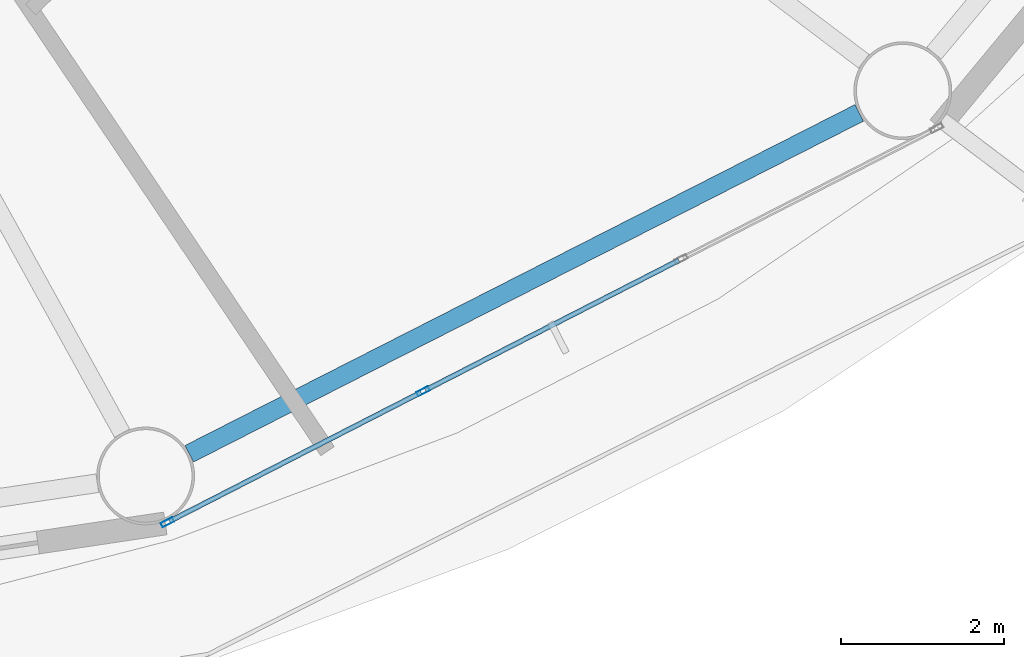
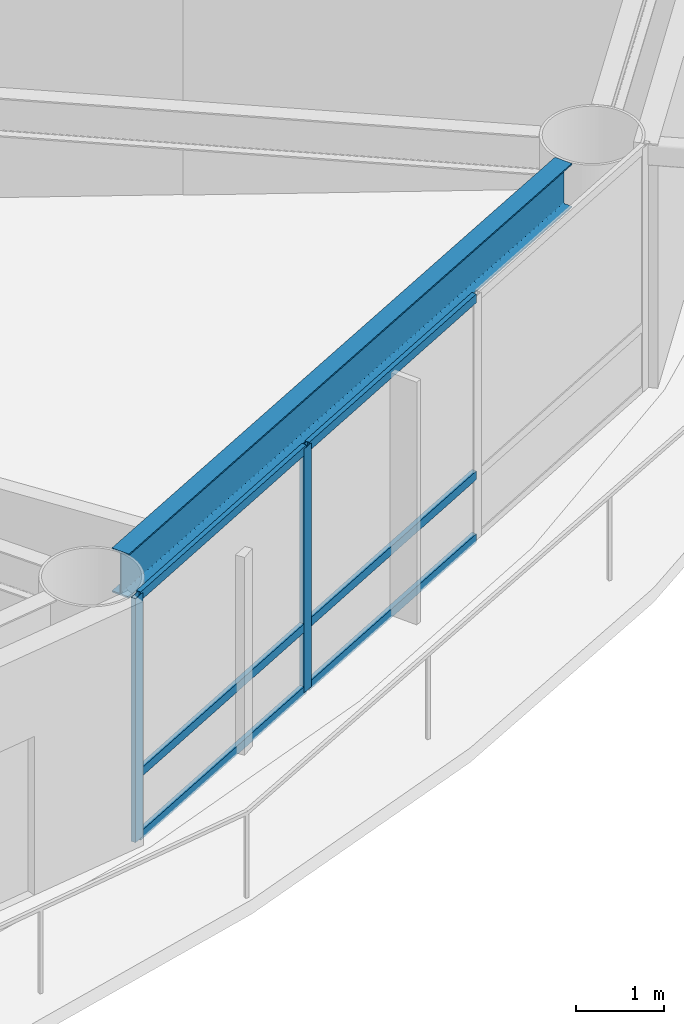
# One storey, part 4 of 24: 8 members, 1 beam, 1 element without a shape of its own.
"""IFC4 building model written with IfcOpenShell, lengths in metres."""

import ifcopenshell
import ifcopenshell.guid

model = None  # the IFC model being written
_history = None  # IfcOwnerHistory: only IFC2X3 demands one
_inside = {}  # id of a spatial element -> (the spatial element, [elements in it])
_under = {}  # id of a project, library or spatial element -> (it, [spatial elements below it])
_declared = {}  # id of a project -> (the project, [libraries it declares])
_typed = {}  # id of a type object -> (the type object, [elements of that type])
_made_of = {}  # id of a material, layer set ... -> (it, [elements and type objects made of it])


def new_model(schema):
    """Start an empty IFC model of exactly this schema.

    Asked for "IFC4X3", IfcOpenShell would pick the latest addendum, in which some entities
    have other attributes; the version numbers below select the first issue.
    IFC2X3 requires an IfcOwnerHistory on every rooted entity: one is made here for all.
    """
    global model, _history
    if schema == "IFC4X3":
        model = ifcopenshell.file(schema_version=(4, 3, 0, 0))
    else:
        model = ifcopenshell.file(schema=schema)
    _inside.clear()
    _under.clear()
    _declared.clear()
    _typed.clear()
    _made_of.clear()
    _history = None
    if model.schema == "IFC2X3":
        org = make("IfcOrganization", Name="unknown")
        user = make(
            "IfcPersonAndOrganization",
            ThePerson=make("IfcPerson", FamilyName="unknown"),
            TheOrganization=org,
        )
        app = make(
            "IfcApplication",
            ApplicationDeveloper=org,
            Version="unknown",
            ApplicationFullName="unknown",
            ApplicationIdentifier="unknown",
        )
        _history = make(
            "IfcOwnerHistory",
            OwningUser=user,
            OwningApplication=app,
            ChangeAction="ADDED",
            CreationDate=0,
        )
    return model


def make(cls, **values):
    """One entity of the class cls with the attributes given. An attribute that is None is left unset."""
    return model.create_entity(
        cls, **{name: value for name, value in values.items() if value is not None}
    )


def rooted(cls, **values):
    """An entity with a GlobalId (a new one), such as an element, a storey or a relation."""
    return make(cls, GlobalId=ifcopenshell.guid.new(), OwnerHistory=_history, **values)


def si_unit(unit_type, name, prefix=None):
    """IfcSIUnit, for example si_unit("LENGTHUNIT", "METRE", prefix="MILLI")."""
    return make("IfcSIUnit", UnitType=unit_type, Prefix=prefix, Name=name)


def assignment(units):
    """IfcUnitAssignment: the units of a project."""
    return None if units is None else make("IfcUnitAssignment", Units=units)


def point(xyz):
    """IfcCartesianPoint."""
    return None if xyz is None else make("IfcCartesianPoint", Coordinates=xyz)


def direction(xyz):
    """IfcDirection."""
    return None if xyz is None else make("IfcDirection", DirectionRatios=xyz)


def frame(location, z_axis=None, x_axis=None):
    """IfcAxis2Placement3D, a coordinate frame: its origin and axes. An axis left out is left unset."""
    return make(
        "IfcAxis2Placement3D",
        Location=point(location),
        Axis=direction(z_axis),
        RefDirection=direction(x_axis),
    )


def frame_2d(location, x_axis=None):
    """IfcAxis2Placement2D, a coordinate frame in the plane: its origin and x axis."""
    return make(
        "IfcAxis2Placement2D", Location=point(location), RefDirection=direction(x_axis)
    )


def origin():
    """The frame at (0, 0, 0) with its axes left unset."""
    return frame((0.0, 0.0, 0.0))


def origin_2d():
    """The frame at (0, 0) in the plane with its x axis left unset."""
    return frame_2d((0.0, 0.0))


def place(relative_to, where):
    """IfcLocalPlacement: puts the frame where relative to a parent placement (None: the world)."""
    return make(
        "IfcLocalPlacement", PlacementRelTo=relative_to, RelativePlacement=where
    )


def context(
    kind, dimensions, precision=None, world=None, true_north=None, identifier=None
):
    """IfcGeometricRepresentationContext, for example the 3D "Model" context."""
    return make(
        "IfcGeometricRepresentationContext",
        ContextIdentifier=identifier,
        ContextType=kind,
        CoordinateSpaceDimension=dimensions,
        Precision=precision,
        WorldCoordinateSystem=world,
        TrueNorth=true_north,
    )


def subcontext(parent, identifier, kind, view, scale=None):
    """IfcGeometricRepresentationSubContext, for example "Body" below "Model"."""
    return make(
        "IfcGeometricRepresentationSubContext",
        ContextIdentifier=identifier,
        ContextType=kind,
        ParentContext=parent,
        TargetScale=scale,
        TargetView=view,
    )


def project(units=None, contexts=None):
    """IfcProject with its units and contexts."""
    return rooted(
        "IfcProject",
        Name="project",
        RepresentationContexts=contexts,
        UnitsInContext=assignment(units),
    )


def spatial(cls, under=None, at=None, **own):
    """A site, building, storey or space (cls), placed at a placement, below another one or the project."""
    s = rooted(cls, ObjectPlacement=at, **own)
    if under is not None:
        _under.setdefault(under.id(), (under, []))[1].append(s)
    return s


def profile(cls, at=None, kind="AREA", **sizes):
    """A parametric profile (cls). Its sizes go by their IFC names, for example OverallWidth=200.0."""
    return make(cls, ProfileType=kind, Position=at, **sizes)


def hollow_rectangle(**sizes):
    """IfcRectangleHollowProfileDef."""
    return profile("IfcRectangleHollowProfileDef", **sizes)


def i_section(**sizes):
    """IfcIShapeProfileDef."""
    return profile("IfcIShapeProfileDef", **sizes)


def extrude(swept, where, along, depth):
    """IfcExtrudedAreaSolid: the profile swept, set in the frame where, extruded along a direction by depth."""
    return make(
        "IfcExtrudedAreaSolid",
        SweptArea=swept,
        Position=where,
        ExtrudedDirection=direction(along),
        Depth=depth,
    )


def shape(context_of_items, identifier, shape_type, items):
    """IfcShapeRepresentation: the items that make up one representation, for example the "Body"."""
    return make(
        "IfcShapeRepresentation",
        ContextOfItems=context_of_items,
        RepresentationIdentifier=identifier,
        RepresentationType=shape_type,
        Items=items,
    )


def material(Name=None, Category=None):
    """IfcMaterial."""
    return make("IfcMaterial", Name=Name, Category=Category)


def layer(
    of_material, thickness, ventilated=None, Name=None, Category=None, Priority=None
):
    """IfcMaterialLayer: one layer of a wall or slab, of a material (None: an air gap)."""
    return make(
        "IfcMaterialLayer",
        Material=of_material,
        LayerThickness=thickness,
        IsVentilated=ventilated,
        Name=Name,
        Category=Category,
        Priority=Priority,
    )


def layer_set(layers, Name=None):
    """IfcMaterialLayerSet."""
    return make("IfcMaterialLayerSet", MaterialLayers=layers, LayerSetName=Name)


def material_profile(
    of_material, cross_section, Name=None, Category=None, Priority=None
):
    """IfcMaterialProfile: a cross section and its material."""
    return make(
        "IfcMaterialProfile",
        Name=Name,
        Material=of_material,
        Profile=cross_section,
        Priority=Priority,
        Category=Category,
    )


def profile_set(profiles, Name=None, composite=None):
    """IfcMaterialProfileSet."""
    return make(
        "IfcMaterialProfileSet",
        Name=Name,
        MaterialProfiles=profiles,
        CompositeProfile=composite,
    )


def made_of(thing, what):
    """Note that an element or type object is made of a material, layer set ...; save() writes the relation."""
    if what is not None:
        _made_of.setdefault(what.id(), (what, []))[1].append(thing)
    return thing


def type_object(cls, material=None, **own):
    """A type object (cls), such as IfcWallType, which elements share."""
    return made_of(rooted(cls, **own), material)


def element(
    cls,
    number,
    at=None,
    inside=None,
    cuts=None,
    type_object=None,
    material=None,
    context=None,
    identifier="Body",
    shape_type=None,
    held_by="IfcProductDefinitionShape",
    body=None,
    shapes=None,
    **own,
):
    """One element of the class cls, such as IfcWall. Its Tag is "e" and its number.

    at: its placement. inside: the storey or other place that contains it. cuts: it is an
    opening in that element (IfcRelVoidsElement). A single representation is given by context,
    identifier, shape_type and body (its items); several are given by shapes. held_by: the class
    of the entity that holds the representations. save() writes the other relations.
    """
    e = rooted(cls, Tag="e%d" % number, ObjectPlacement=at, **own)
    if body is not None:
        shapes = [shape(context, identifier, shape_type, body)]
    if shapes is not None:
        e.Representation = make(held_by, Representations=shapes)
    if inside is not None:
        _inside.setdefault(inside.id(), (inside, []))[1].append(e)
    if cuts is not None:
        rooted(
            "IfcRelVoidsElement", RelatingBuildingElement=cuts, RelatedOpeningElement=e
        )
    if type_object is not None:
        _typed.setdefault(type_object.id(), (type_object, []))[1].append(e)
    return made_of(e, material)


def aggregate(whole, parts):
    """IfcRelAggregates: a whole, such as a stair, and the parts it consists of."""
    return rooted("IfcRelAggregates", RelatingObject=whole, RelatedObjects=parts)


def save(model, path):
    """Write the relations noted so far, then the file.

    IfcRelAggregates (storeys below a building ...), IfcRelContainedInSpatialStructure (elements
    in a storey), IfcRelDefinesByType, IfcRelAssociatesMaterial and IfcRelDeclares: one each for
    every whole, place, type object, material and project.
    """
    for whole, parts in _under.values():
        aggregate(whole, parts)
    for where, things in _inside.values():
        rooted(
            "IfcRelContainedInSpatialStructure",
            RelatedElements=things,
            RelatingStructure=where,
        )
    for kind, things in _typed.values():
        rooted("IfcRelDefinesByType", RelatedObjects=things, RelatingType=kind)
    for what, things in _made_of.values():
        rooted("IfcRelAssociatesMaterial", RelatedObjects=things, RelatingMaterial=what)
    for by, libraries in _declared.values():
        rooted("IfcRelDeclares", RelatingContext=by, RelatedDefinitions=libraries)
    model.write(path)


model = new_model("IFC4")

# Units and contexts
model_context = context("Model", 3, precision=1e-05, world=origin(), true_north=direction((0.0, 1.0)))
body_context = subcontext(model_context, "Body", "Model", "MODEL_VIEW")
ifc_project = project(units=[si_unit("LENGTHUNIT", "METRE"), si_unit("AREAUNIT", "SQUARE_METRE"), si_unit("VOLUMEUNIT", "CUBIC_METRE"), si_unit("PLANEANGLEUNIT", "RADIAN"), si_unit("MASSUNIT", "GRAM", prefix="KILO")], contexts=[model_context])

# Site, building, storey
site_placement = place(None, origin())
site = spatial("IfcSite", under=ifc_project, at=site_placement, CompositionType="ELEMENT")
building_placement = place(site_placement, origin())
building = spatial("IfcBuilding", under=site, at=building_placement, Name="Sarneth Arch Tower", CompositionType="ELEMENT")
storey_placement = place(building_placement, frame((0.0, 0.0, 112.800048828125)))
storey = spatial("IfcBuildingStorey", under=building, at=storey_placement, Name="L28", CompositionType="ELEMENT", Elevation=112.800048828125)

# Beam
ifc_material_1 = material(Name="Steel S355", Category="steel")
ifc_material_profile_1 = material_profile(ifc_material_1, i_section(OverallWidth=0.22900390625, OverallDepth=0.612060546875, WebThickness=0.011962890625, FlangeThickness=0.01953125, FilletRadius=0.01904296875, at=origin_2d()), Name="W610x125")
ifc_profile_set_1 = profile_set([ifc_material_profile_1], Name="Steel S355")
beam_type = type_object("IfcBeamType", Name="BM-SPAN-610C", PredefinedType="SPANDREL", material=ifc_profile_set_1)
beam_placement = place(storey_placement, frame((59.64501953125, 22.131591796875, 3.073974609375), z_axis=(0.891259443414, 0.453493775619, 0.0), x_axis=(-0.453493775619, 0.891259443414, 0.0)))
element("IfcBeam", 1, at=beam_placement, inside=storey, type_object=beam_type, Name="L28 Perimeter spandrel beam 14", PredefinedType="SPANDREL", context=body_context, shape_type="SweptSolid", body=[
    extrude(i_section(OverallWidth=0.22900390625, OverallDepth=0.612060546875, WebThickness=0.011962890625, FlangeThickness=0.01953125, FilletRadius=0.01904296875, at=origin_2d()), origin(), (0.0, 0.0, 1.0), 9.220458984375),
])

# Curtain wall, members
ifc_material_2 = material(Name="Anodised aluminium Type AA25 and solar-control low-e laminated IGU", Category="aluminium")
ifc_layer = layer(ifc_material_2, 0.159912109375)
ifc_layer_set = layer_set([ifc_layer], Name="Anodised aluminium Type AA25 and solar-control low-e laminated IGU")
curtain_wall_type = type_object("IfcCurtainWallType", Name="CW-HOTEL-MID", PredefinedType="NOTDEFINED", material=ifc_layer_set)
curtain_wall_placement = place(storey_placement, origin())
curtain_wall = element("IfcCurtainWall", 2, at=curtain_wall_placement, inside=storey, type_object=curtain_wall_type, Name="L28 Unitised curtain wall facet 14", PredefinedType="NOTDEFINED")
ifc_material_3 = material(Name="Anodised Aluminium 6063-T6", Category="aluminium")
ifc_material_profile_2 = material_profile(ifc_material_3, hollow_rectangle(XDim=0.06005859375, YDim=0.159912109375, WallThickness=0.00390625, at=origin_2d()), Name="AL-MULL-160x60x4")
ifc_profile_set_2 = profile_set([ifc_material_profile_2], Name="Anodised Aluminium 6063-T6")
member_type_1 = type_object("IfcMemberType", Name="CW-MULLION", PredefinedType="MULLION", material=ifc_profile_set_2)
member_1_placement = place(storey_placement, frame((59.3779296875, 21.291015625, 0.0), z_axis=(0.0, 0.0, 1.0), x_axis=(-0.456031365356, 0.889963703649, 0.0)))
member_1 = element("IfcMember", 3, at=member_1_placement, type_object=member_type_1, Name="CW-SYS-4 mullion 1", PredefinedType="MULLION", context=body_context, shape_type="SweptSolid", body=[
    extrude(hollow_rectangle(XDim=0.06005859375, YDim=0.159912109375, WallThickness=0.00390625, at=origin_2d()), origin(), (0.0, 0.0, 1.0), 3.3798828125),
])
member_2_placement = place(storey_placement, frame((62.51416015625, 22.898193359375, 0.0), z_axis=(0.0, 0.0, 1.0), x_axis=(-0.456031365356, 0.889963703649, 0.0)))
member_2 = element("IfcMember", 4, at=member_2_placement, type_object=member_type_1, Name="CW-SYS-4 mullion 2", PredefinedType="MULLION", context=body_context, shape_type="SweptSolid", body=[
    extrude(hollow_rectangle(XDim=0.06005859375, YDim=0.159912109375, WallThickness=0.00390625, at=origin_2d()), origin(), (0.0, 0.0, 1.0), 3.3798828125),
])
ifc_material_4 = material(Name="Anodised Aluminium 6063-T6", Category="aluminium")
ifc_material_profile_3 = material_profile(ifc_material_4, hollow_rectangle(XDim=0.06005859375, YDim=0.1201171875, WallThickness=0.00390625, at=origin_2d()), Name="AL-TRAN-120x60x4")
ifc_profile_set_3 = profile_set([ifc_material_profile_3], Name="Anodised Aluminium 6063-T6")
member_type_2 = type_object("IfcMemberType", Name="CW-TRANSOM", PredefinedType="USERDEFINED", material=ifc_profile_set_3)
member_3_placement = place(storey_placement, frame((59.404541015625, 21.3046875, 0.030029296875), z_axis=(0.889957563627, 0.456043347658, 0.0), x_axis=(-0.456043347658, 0.889957563627, 0.0)))
member_3 = element("IfcMember", 5, at=member_3_placement, type_object=member_type_2, Name="CW-SYS-4 transom 1.1", ObjectType="TRANSOM", PredefinedType="USERDEFINED", context=body_context, shape_type="SweptSolid", body=[
    extrude(hollow_rectangle(XDim=0.06005859375, YDim=0.1201171875, WallThickness=0.00390625, at=origin_2d()), origin(), (0.0, 0.0, 1.0), 3.464111328125),
])
member_4_placement = place(storey_placement, frame((59.404541015625, 21.3046875, 0.89990234375), z_axis=(0.889957563627, 0.456043347658, 0.0), x_axis=(-0.456043347658, 0.889957563627, 0.0)))
member_4 = element("IfcMember", 6, at=member_4_placement, type_object=member_type_2, Name="CW-SYS-4 transom 1.2", ObjectType="TRANSOM", PredefinedType="USERDEFINED", context=body_context, shape_type="SweptSolid", body=[
    extrude(hollow_rectangle(XDim=0.06005859375, YDim=0.1201171875, WallThickness=0.00390625, at=origin_2d()), origin(), (0.0, 0.0, 1.0), 3.464111328125),
])
member_5_placement = place(storey_placement, frame((59.404541015625, 21.3046875, 3.349853515625), z_axis=(0.889957563627, 0.456043347658, 0.0), x_axis=(-0.456043347658, 0.889957563627, 0.0)))
member_5 = element("IfcMember", 7, at=member_5_placement, type_object=member_type_2, Name="CW-SYS-4 transom 1.3", ObjectType="TRANSOM", PredefinedType="USERDEFINED", context=body_context, shape_type="SweptSolid", body=[
    extrude(hollow_rectangle(XDim=0.06005859375, YDim=0.1201171875, WallThickness=0.00390625, at=origin_2d()), origin(), (0.0, 0.0, 1.0), 3.464111328125),
])
member_6_placement = place(storey_placement, frame((62.540771484375, 22.911865234375, 0.030029296875), z_axis=(0.889981813856, 0.455996020823, 0.0), x_axis=(-0.455996020823, 0.889981813856, 0.0)))
member_6 = element("IfcMember", 8, at=member_6_placement, type_object=member_type_2, Name="CW-SYS-4 transom 2.1", ObjectType="TRANSOM", PredefinedType="USERDEFINED", context=body_context, shape_type="SweptSolid", body=[
    extrude(hollow_rectangle(XDim=0.06005859375, YDim=0.1201171875, WallThickness=0.00390625, at=origin_2d()), origin(), (0.0, 0.0, 1.0), 3.494140625),
])
member_7_placement = place(storey_placement, frame((62.540771484375, 22.911865234375, 0.89990234375), z_axis=(0.889981813856, 0.455996020823, 0.0), x_axis=(-0.455996020823, 0.889981813856, 0.0)))
member_7 = element("IfcMember", 9, at=member_7_placement, type_object=member_type_2, Name="CW-SYS-4 transom 2.2", ObjectType="TRANSOM", PredefinedType="USERDEFINED", context=body_context, shape_type="SweptSolid", body=[
    extrude(hollow_rectangle(XDim=0.06005859375, YDim=0.1201171875, WallThickness=0.00390625, at=origin_2d()), origin(), (0.0, 0.0, 1.0), 3.494140625),
])
member_8_placement = place(storey_placement, frame((62.540771484375, 22.911865234375, 3.349853515625), z_axis=(0.889981813856, 0.455996020823, 0.0), x_axis=(-0.455996020823, 0.889981813856, 0.0)))
member_8 = element("IfcMember", 10, at=member_8_placement, type_object=member_type_2, Name="CW-SYS-4 transom 2.3", ObjectType="TRANSOM", PredefinedType="USERDEFINED", context=body_context, shape_type="SweptSolid", body=[
    extrude(hollow_rectangle(XDim=0.06005859375, YDim=0.1201171875, WallThickness=0.00390625, at=origin_2d()), origin(), (0.0, 0.0, 1.0), 3.494140625),
])
aggregate(curtain_wall, [member_1, member_2, member_3, member_4, member_5, member_6, member_7, member_8])

save(model, "model.ifc")
